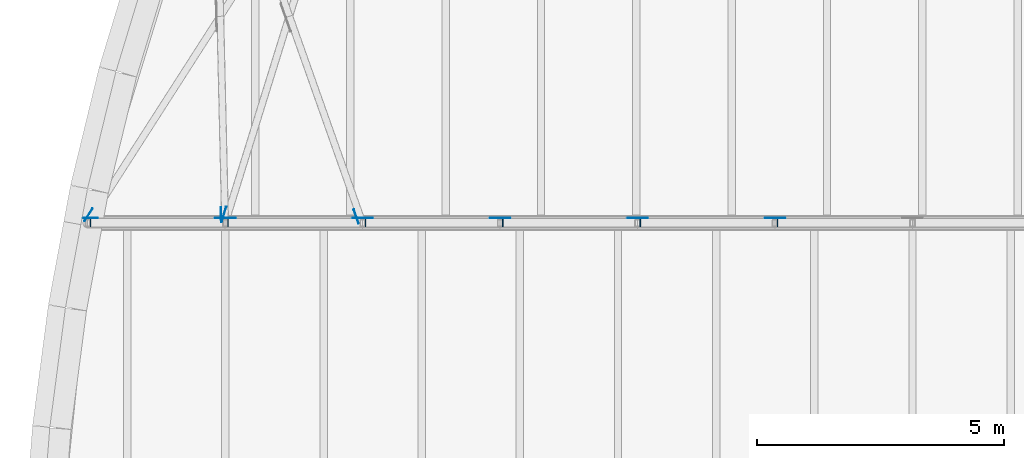
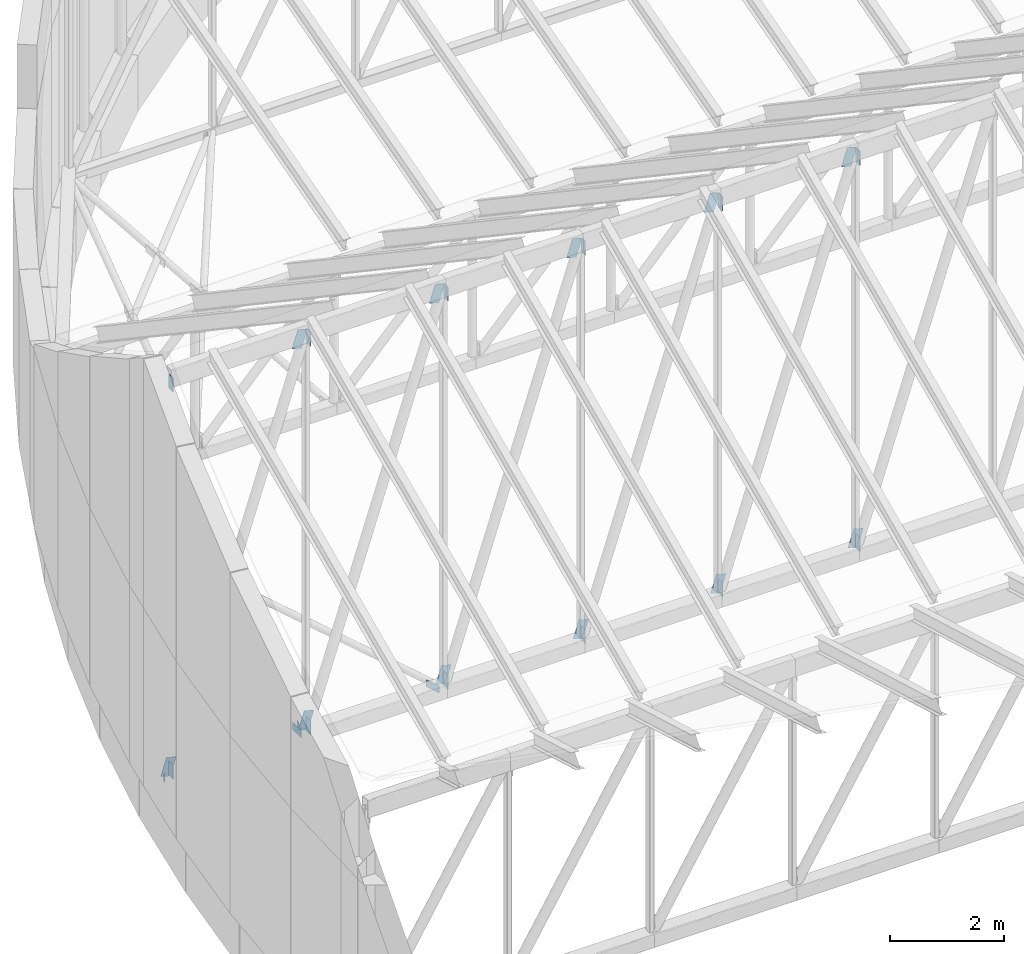
# One storey, part 52 of 68: 27 discrete accessories.
"""IFC4 building model written with IfcOpenShell, lengths in metres."""

import ifcopenshell
import ifcopenshell.guid

model = None  # the IFC model being written
_history = None  # IfcOwnerHistory: only IFC2X3 demands one
_inside = {}  # id of a spatial element -> (the spatial element, [elements in it])
_under = {}  # id of a project, library or spatial element -> (it, [spatial elements below it])
_declared = {}  # id of a project -> (the project, [libraries it declares])
_typed = {}  # id of a type object -> (the type object, [elements of that type])
_made_of = {}  # id of a material, layer set ... -> (it, [elements and type objects made of it])


def new_model(schema):
    """Start an empty IFC model of exactly this schema.

    Asked for "IFC4X3", IfcOpenShell would pick the latest addendum, in which some entities
    have other attributes; the version numbers below select the first issue.
    IFC2X3 requires an IfcOwnerHistory on every rooted entity: one is made here for all.
    """
    global model, _history
    if schema == "IFC4X3":
        model = ifcopenshell.file(schema_version=(4, 3, 0, 0))
    else:
        model = ifcopenshell.file(schema=schema)
    _inside.clear()
    _under.clear()
    _declared.clear()
    _typed.clear()
    _made_of.clear()
    _history = None
    if model.schema == "IFC2X3":
        org = make("IfcOrganization", Name="unknown")
        user = make(
            "IfcPersonAndOrganization",
            ThePerson=make("IfcPerson", FamilyName="unknown"),
            TheOrganization=org,
        )
        app = make(
            "IfcApplication",
            ApplicationDeveloper=org,
            Version="unknown",
            ApplicationFullName="unknown",
            ApplicationIdentifier="unknown",
        )
        _history = make(
            "IfcOwnerHistory",
            OwningUser=user,
            OwningApplication=app,
            ChangeAction="ADDED",
            CreationDate=0,
        )
    return model


def make(cls, **values):
    """One entity of the class cls with the attributes given. An attribute that is None is left unset."""
    return model.create_entity(
        cls, **{name: value for name, value in values.items() if value is not None}
    )


def rooted(cls, **values):
    """An entity with a GlobalId (a new one), such as an element, a storey or a relation."""
    return make(cls, GlobalId=ifcopenshell.guid.new(), OwnerHistory=_history, **values)


def si_unit(unit_type, name, prefix=None):
    """IfcSIUnit, for example si_unit("LENGTHUNIT", "METRE", prefix="MILLI")."""
    return make("IfcSIUnit", UnitType=unit_type, Prefix=prefix, Name=name)


def assignment(units):
    """IfcUnitAssignment: the units of a project."""
    return None if units is None else make("IfcUnitAssignment", Units=units)


def point(xyz):
    """IfcCartesianPoint."""
    return None if xyz is None else make("IfcCartesianPoint", Coordinates=xyz)


def direction(xyz):
    """IfcDirection."""
    return None if xyz is None else make("IfcDirection", DirectionRatios=xyz)


def frame(location, z_axis=None, x_axis=None):
    """IfcAxis2Placement3D, a coordinate frame: its origin and axes. An axis left out is left unset."""
    return make(
        "IfcAxis2Placement3D",
        Location=point(location),
        Axis=direction(z_axis),
        RefDirection=direction(x_axis),
    )


def frame_2d(location, x_axis=None):
    """IfcAxis2Placement2D, a coordinate frame in the plane: its origin and x axis."""
    return make(
        "IfcAxis2Placement2D", Location=point(location), RefDirection=direction(x_axis)
    )


def origin():
    """The frame at (0, 0, 0) with its axes left unset."""
    return frame((0.0, 0.0, 0.0))


def origin_2d():
    """The frame at (0, 0) in the plane with its x axis left unset."""
    return frame_2d((0.0, 0.0))


def place(relative_to, where):
    """IfcLocalPlacement: puts the frame where relative to a parent placement (None: the world)."""
    return make(
        "IfcLocalPlacement", PlacementRelTo=relative_to, RelativePlacement=where
    )


def context(
    kind, dimensions, precision=None, world=None, true_north=None, identifier=None
):
    """IfcGeometricRepresentationContext, for example the 3D "Model" context."""
    return make(
        "IfcGeometricRepresentationContext",
        ContextIdentifier=identifier,
        ContextType=kind,
        CoordinateSpaceDimension=dimensions,
        Precision=precision,
        WorldCoordinateSystem=world,
        TrueNorth=true_north,
    )


def subcontext(parent, identifier, kind, view, scale=None):
    """IfcGeometricRepresentationSubContext, for example "Body" below "Model"."""
    return make(
        "IfcGeometricRepresentationSubContext",
        ContextIdentifier=identifier,
        ContextType=kind,
        ParentContext=parent,
        TargetScale=scale,
        TargetView=view,
    )


def project(units=None, contexts=None):
    """IfcProject with its units and contexts."""
    return rooted(
        "IfcProject",
        Name="project",
        RepresentationContexts=contexts,
        UnitsInContext=assignment(units),
    )


def spatial(cls, under=None, at=None, **own):
    """A site, building, storey or space (cls), placed at a placement, below another one or the project."""
    s = rooted(cls, ObjectPlacement=at, **own)
    if under is not None:
        _under.setdefault(under.id(), (under, []))[1].append(s)
    return s


def profile(cls, at=None, kind="AREA", **sizes):
    """A parametric profile (cls). Its sizes go by their IFC names, for example OverallWidth=200.0."""
    return make(cls, ProfileType=kind, Position=at, **sizes)


def rectangle(**sizes):
    """IfcRectangleProfileDef."""
    return profile("IfcRectangleProfileDef", **sizes)


def extrude(swept, where, along, depth):
    """IfcExtrudedAreaSolid: the profile swept, set in the frame where, extruded along a direction by depth."""
    return make(
        "IfcExtrudedAreaSolid",
        SweptArea=swept,
        Position=where,
        ExtrudedDirection=direction(along),
        Depth=depth,
    )


def shape(context_of_items, identifier, shape_type, items):
    """IfcShapeRepresentation: the items that make up one representation, for example the "Body"."""
    return make(
        "IfcShapeRepresentation",
        ContextOfItems=context_of_items,
        RepresentationIdentifier=identifier,
        RepresentationType=shape_type,
        Items=items,
    )


def material(Name=None, Category=None):
    """IfcMaterial."""
    return make("IfcMaterial", Name=Name, Category=Category)


def material_profile(
    of_material, cross_section, Name=None, Category=None, Priority=None
):
    """IfcMaterialProfile: a cross section and its material."""
    return make(
        "IfcMaterialProfile",
        Name=Name,
        Material=of_material,
        Profile=cross_section,
        Priority=Priority,
        Category=Category,
    )


def profile_set(profiles, Name=None, composite=None):
    """IfcMaterialProfileSet."""
    return make(
        "IfcMaterialProfileSet",
        Name=Name,
        MaterialProfiles=profiles,
        CompositeProfile=composite,
    )


def made_of(thing, what):
    """Note that an element or type object is made of a material, layer set ...; save() writes the relation."""
    if what is not None:
        _made_of.setdefault(what.id(), (what, []))[1].append(thing)
    return thing


def type_object(cls, material=None, **own):
    """A type object (cls), such as IfcWallType, which elements share."""
    return made_of(rooted(cls, **own), material)


def element(
    cls,
    number,
    at=None,
    inside=None,
    cuts=None,
    type_object=None,
    material=None,
    context=None,
    identifier="Body",
    shape_type=None,
    held_by="IfcProductDefinitionShape",
    body=None,
    shapes=None,
    **own,
):
    """One element of the class cls, such as IfcWall. Its Tag is "e" and its number.

    at: its placement. inside: the storey or other place that contains it. cuts: it is an
    opening in that element (IfcRelVoidsElement). A single representation is given by context,
    identifier, shape_type and body (its items); several are given by shapes. held_by: the class
    of the entity that holds the representations. save() writes the other relations.
    """
    e = rooted(cls, Tag="e%d" % number, ObjectPlacement=at, **own)
    if body is not None:
        shapes = [shape(context, identifier, shape_type, body)]
    if shapes is not None:
        e.Representation = make(held_by, Representations=shapes)
    if inside is not None:
        _inside.setdefault(inside.id(), (inside, []))[1].append(e)
    if cuts is not None:
        rooted(
            "IfcRelVoidsElement", RelatingBuildingElement=cuts, RelatedOpeningElement=e
        )
    if type_object is not None:
        _typed.setdefault(type_object.id(), (type_object, []))[1].append(e)
    return made_of(e, material)


def aggregate(whole, parts):
    """IfcRelAggregates: a whole, such as a stair, and the parts it consists of."""
    return rooted("IfcRelAggregates", RelatingObject=whole, RelatedObjects=parts)


def save(model, path):
    """Write the relations noted so far, then the file.

    IfcRelAggregates (storeys below a building ...), IfcRelContainedInSpatialStructure (elements
    in a storey), IfcRelDefinesByType, IfcRelAssociatesMaterial and IfcRelDeclares: one each for
    every whole, place, type object, material and project.
    """
    for whole, parts in _under.values():
        aggregate(whole, parts)
    for where, things in _inside.values():
        rooted(
            "IfcRelContainedInSpatialStructure",
            RelatedElements=things,
            RelatingStructure=where,
        )
    for kind, things in _typed.values():
        rooted("IfcRelDefinesByType", RelatedObjects=things, RelatingType=kind)
    for what, things in _made_of.values():
        rooted("IfcRelAssociatesMaterial", RelatedObjects=things, RelatingMaterial=what)
    for by, libraries in _declared.values():
        rooted("IfcRelDeclares", RelatingContext=by, RelatedDefinitions=libraries)
    model.write(path)


model = new_model("IFC4")

# Units and contexts
model_context = context("Model", 3, precision=1e-05, world=origin(), true_north=direction((0.0, 1.0)))
body_context = subcontext(model_context, "Body", "Model", "MODEL_VIEW")
ifc_project = project(units=[si_unit("LENGTHUNIT", "METRE"), si_unit("AREAUNIT", "SQUARE_METRE"), si_unit("VOLUMEUNIT", "CUBIC_METRE"), si_unit("PLANEANGLEUNIT", "RADIAN"), si_unit("MASSUNIT", "GRAM", prefix="KILO")], contexts=[model_context])

# Site, building, storey
site_placement = place(None, origin())
site = spatial("IfcSite", under=ifc_project, at=site_placement, CompositionType="ELEMENT")
building_placement = place(site_placement, origin())
building = spatial("IfcBuilding", under=site, at=building_placement, Name="Larchfold Concert Hall", CompositionType="ELEMENT")
storey_placement = place(building_placement, frame((0.0, 0.0, 28.800048828125)))
storey = spatial("IfcBuildingStorey", under=building, at=storey_placement, Name="L06", CompositionType="ELEMENT", Elevation=28.800048828125)

# Discrete accessories
ifc_material_1 = material(Name="Steel S355 galvanised bracket", Category="steel")
ifc_material_profile_1 = material_profile(ifc_material_1, rectangle(XDim=0.011962890625, YDim=0.14990234375, at=origin_2d()))
ifc_profile_set_1 = profile_set([ifc_material_profile_1], Name="Steel S355 galvanised bracket")
discrete_accessory_type_1 = type_object("IfcDiscreteAccessoryType", Name="Gusset plate 12x150", PredefinedType="BRACKET", material=ifc_profile_set_1)
for number, where, z_axis, x_axis, name in (
    (1, (19.04345703125, 93.60009765625, 8.599853515625), (0.0, 0.0, -1.0), (1.0, 0.0, 0.0), "Gusset plate GP0375"),
    (2, (19.04345703125, 93.60009765625, 0.320068359375), (0.0, 0.0, -1.0), (1.0, 0.0, 0.0), "Gusset plate GP0376"),
    (3, (21.8212890625, 93.60009765625, 8.599853515625), (0.0, 0.0, -1.0), (1.0, 0.0, 0.0), "Gusset plate GP0377"),
    (4, (21.8212890625, 93.60009765625, 0.300048828125), (0.0, 0.0, -1.0), (1.0, 0.0, 0.0), "Gusset plate GP0378"),
    (5, (24.599365234375, 93.60009765625, 8.599853515625), (0.0, 0.0, -1.0), (1.0, 0.0, 0.0), "Gusset plate GP0379"),
    (6, (24.599365234375, 93.60009765625, 0.300048828125), (0.0, 0.0, -1.0), (1.0, 0.0, 0.0), "Gusset plate GP0380"),
    (7, (27.377197265625, 93.60009765625, 8.599853515625), (0.0, 0.0, -1.0), (1.0, 0.0, 0.0), "Gusset plate GP0381"),
    (8, (27.377197265625, 93.60009765625, 0.300048828125), (0.0, 0.0, -1.0), (1.0, 0.0, 0.0), "Gusset plate GP0382"),
    (9, (30.1552734375, 93.60009765625, 8.579833984375), (0.0, 0.0, -1.0), (1.0, 0.0, 0.0), "Gusset plate GP0383"),
    (10, (30.1552734375, 93.60009765625, 0.320068359375), (0.0, 0.0, -1.0), (1.0, 0.0, 0.0), "Gusset plate GP0384"),
    (11, (32.93310546875, 93.60009765625, 8.579833984375), (0.0, 0.0, -1.0), (1.0, 0.0, 0.0), "Gusset plate GP0385"),
    (12, (32.93310546875, 93.60009765625, 0.320068359375), (0.0, 0.0, -1.0), (1.0, 0.0, 0.0), "Gusset plate GP0386"),
    (13, (18.923583984375, 93.64111328125, 0.0), (0.540346232729, 0.841442778075, 0.0), (-0.841442778075, 0.540346232729, 0.0), "Gusset plate GP0601"),
):
    element("IfcDiscreteAccessory", number, at=place(storey_placement, frame(where, z_axis=z_axis, x_axis=x_axis)), inside=storey, type_object=discrete_accessory_type_1, Name=name, PredefinedType="BRACKET", context=body_context, shape_type="SweptSolid", body=[
        extrude(rectangle(XDim=0.011962890625, YDim=0.14990234375, at=origin_2d()), origin(), (0.0, 0.0, 1.0), 0.300048828125),
    ])
discrete_accessory_1_placement = place(storey_placement, frame((21.68896484375, 93.618408203125, 0.0), z_axis=(-0.02279537805, 0.999740151609, 0.0), x_axis=(-0.999740151609, -0.02279537805, 0.0)))
element("IfcDiscreteAccessory", 14, at=discrete_accessory_1_placement, inside=storey, type_object=discrete_accessory_type_1, Name="Gusset plate GP0603", PredefinedType="BRACKET", context=body_context, shape_type="SweptSolid", body=[
    extrude(rectangle(XDim=0.011962890625, YDim=0.14990234375, at=origin_2d()), origin(), (0.0, 0.0, 1.0), 0.2998046875),
])
discrete_accessory_2_placement = place(storey_placement, frame((21.698974609375, 93.6416015625, 0.0), z_axis=(0.296143305808, 0.955143519281, 0.0), x_axis=(-0.955143519281, 0.296143305808, 0.0)))
element("IfcDiscreteAccessory", 15, at=discrete_accessory_2_placement, inside=storey, type_object=discrete_accessory_type_1, Name="Gusset plate GP0607", PredefinedType="BRACKET", context=body_context, shape_type="SweptSolid", body=[
    extrude(rectangle(XDim=0.011962890625, YDim=0.14990234375, at=origin_2d()), origin(), (0.0, 0.0, 1.0), 0.300048828125),
])
discrete_accessory_3_placement = place(storey_placement, frame((24.46533203125, 93.59375, 0.0), z_axis=(-0.333756726613, 0.942659242484, 0.0), x_axis=(-0.942659242484, -0.333756726613, 0.0)))
element("IfcDiscreteAccessory", 16, at=discrete_accessory_3_placement, inside=storey, type_object=discrete_accessory_type_1, Name="Gusset plate GP0609", PredefinedType="BRACKET", context=body_context, shape_type="SweptSolid", body=[
    extrude(rectangle(XDim=0.011962890625, YDim=0.14990234375, at=origin_2d()), origin(), (0.0, 0.0, 1.0), 0.2998046875),
])
ifc_material_2 = material(Name="Steel S355 galvanised bracket", Category="steel")
ifc_material_profile_2 = material_profile(ifc_material_2, rectangle(XDim=0.011962890625, YDim=0.199951171875, at=origin_2d()))
ifc_profile_set_2 = profile_set([ifc_material_profile_2], Name="Steel S355 galvanised bracket")
discrete_accessory_type_2 = type_object("IfcDiscreteAccessoryType", Name="Gusset plate 12x200", PredefinedType="BRACKET", material=ifc_profile_set_2)
for number, where, z_axis, x_axis, name in (
    (17, (18.987548828125, 93.702880859375, 0.0), (0.307518266655, 0.0, 0.951542177559), (0.0, 1.0, 0.0), "Gusset plate GP0411"),
    (18, (21.64013671875, 93.702880859375, 8.212158203125), (0.307518266655, 0.0, 0.951542177559), (0.0, 1.0, 0.0), "Gusset plate GP0412"),
    (19, (21.771484375, 93.702880859375, 0.01904296875), (0.307518266655, 0.0, 0.951542177559), (0.0, 1.0, 0.0), "Gusset plate GP0413"),
    (20, (24.418212890625, 93.702880859375, 8.212158203125), (0.307518266655, 0.0, 0.951542177559), (0.0, 1.0, 0.0), "Gusset plate GP0414"),
    (21, (24.549560546875, 93.702880859375, 0.01904296875), (0.307518266655, 0.0, 0.951542177559), (0.0, 1.0, 0.0), "Gusset plate GP0415"),
    (22, (27.196044921875, 93.702880859375, 8.212158203125), (0.307518266655, 0.0, 0.951542177559), (0.0, 1.0, 0.0), "Gusset plate GP0416"),
    (23, (27.327392578125, 93.702880859375, 0.01904296875), (0.307518266655, 0.0, 0.951542177559), (0.0, 1.0, 0.0), "Gusset plate GP0417"),
    (24, (29.97412109375, 93.702880859375, 8.212158203125), (0.307518266655, 0.0, 0.951542177559), (0.0, 1.0, 0.0), "Gusset plate GP0418"),
    (25, (30.10546875, 93.702880859375, 0.01904296875), (0.307518266655, 0.0, 0.951542177559), (0.0, 1.0, 0.0), "Gusset plate GP0419"),
    (26, (32.751953125, 93.702880859375, 8.212158203125), (0.307518266655, 0.0, 0.951542177559), (0.0, 1.0, 0.0), "Gusset plate GP0420"),
    (27, (32.88330078125, 93.702880859375, 0.01904296875), (0.307518266655, 0.0, 0.951542177559), (0.0, 1.0, 0.0), "Gusset plate GP0421"),
):
    element("IfcDiscreteAccessory", number, at=place(storey_placement, frame(where, z_axis=z_axis, x_axis=x_axis)), inside=storey, type_object=discrete_accessory_type_2, Name=name, PredefinedType="BRACKET", context=body_context, shape_type="SweptSolid", body=[
        extrude(rectangle(XDim=0.011962890625, YDim=0.199951171875, at=origin_2d()), origin(), (0.0, 0.0, 1.0), 0.387451171875),
    ])

save(model, "model.ifc")
